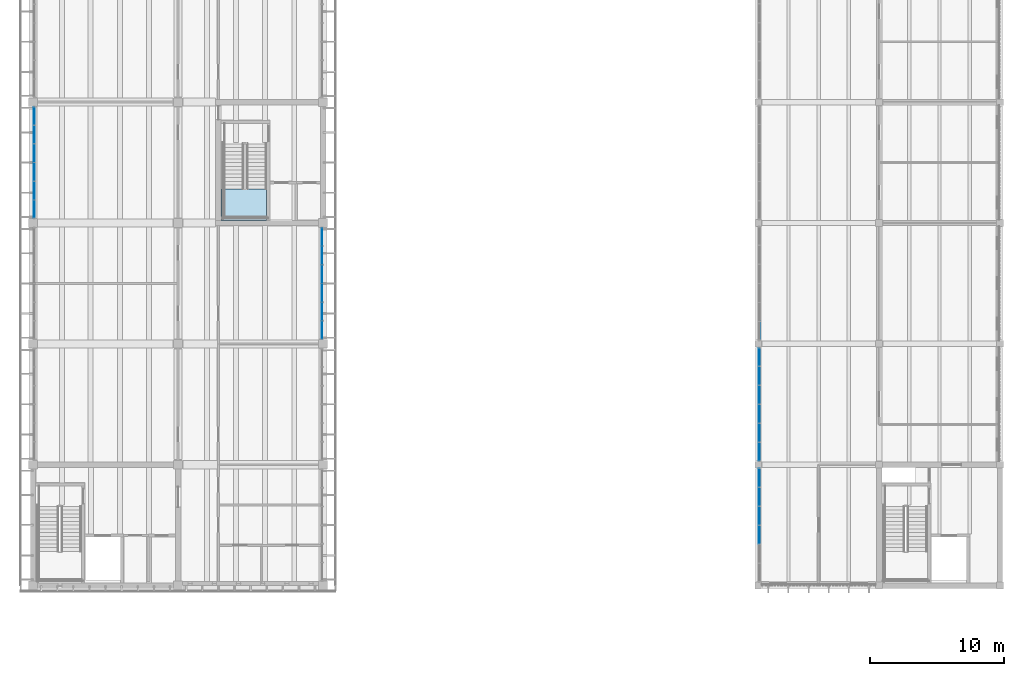
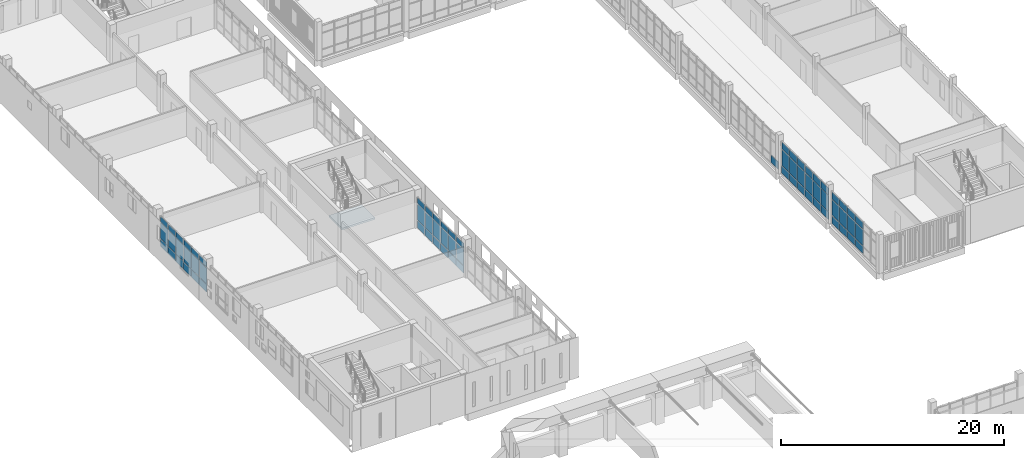
# One storey, part 39 of 92: 67 plates, 1 slab, 6 elements without a shape of their own.
"""IFC4 building model written with IfcOpenShell, lengths in metres."""

import ifcopenshell
import ifcopenshell.guid

model = None  # the IFC model being written
_history = None  # IfcOwnerHistory: only IFC2X3 demands one
_inside = {}  # id of a spatial element -> (the spatial element, [elements in it])
_under = {}  # id of a project, library or spatial element -> (it, [spatial elements below it])
_declared = {}  # id of a project -> (the project, [libraries it declares])
_typed = {}  # id of a type object -> (the type object, [elements of that type])
_made_of = {}  # id of a material, layer set ... -> (it, [elements and type objects made of it])


def new_model(schema):
    """Start an empty IFC model of exactly this schema.

    Asked for "IFC4X3", IfcOpenShell would pick the latest addendum, in which some entities
    have other attributes; the version numbers below select the first issue.
    IFC2X3 requires an IfcOwnerHistory on every rooted entity: one is made here for all.
    """
    global model, _history
    if schema == "IFC4X3":
        model = ifcopenshell.file(schema_version=(4, 3, 0, 0))
    else:
        model = ifcopenshell.file(schema=schema)
    _inside.clear()
    _under.clear()
    _declared.clear()
    _typed.clear()
    _made_of.clear()
    _history = None
    if model.schema == "IFC2X3":
        org = make("IfcOrganization", Name="unknown")
        user = make(
            "IfcPersonAndOrganization",
            ThePerson=make("IfcPerson", FamilyName="unknown"),
            TheOrganization=org,
        )
        app = make(
            "IfcApplication",
            ApplicationDeveloper=org,
            Version="unknown",
            ApplicationFullName="unknown",
            ApplicationIdentifier="unknown",
        )
        _history = make(
            "IfcOwnerHistory",
            OwningUser=user,
            OwningApplication=app,
            ChangeAction="ADDED",
            CreationDate=0,
        )
    return model


def make(cls, **values):
    """One entity of the class cls with the attributes given. An attribute that is None is left unset."""
    return model.create_entity(
        cls, **{name: value for name, value in values.items() if value is not None}
    )


def rooted(cls, **values):
    """An entity with a GlobalId (a new one), such as an element, a storey or a relation."""
    return make(cls, GlobalId=ifcopenshell.guid.new(), OwnerHistory=_history, **values)


def si_unit(unit_type, name, prefix=None):
    """IfcSIUnit, for example si_unit("LENGTHUNIT", "METRE", prefix="MILLI")."""
    return make("IfcSIUnit", UnitType=unit_type, Prefix=prefix, Name=name)


def assignment(units):
    """IfcUnitAssignment: the units of a project."""
    return None if units is None else make("IfcUnitAssignment", Units=units)


def point(xyz):
    """IfcCartesianPoint."""
    return None if xyz is None else make("IfcCartesianPoint", Coordinates=xyz)


def direction(xyz):
    """IfcDirection."""
    return None if xyz is None else make("IfcDirection", DirectionRatios=xyz)


def frame(location, z_axis=None, x_axis=None):
    """IfcAxis2Placement3D, a coordinate frame: its origin and axes. An axis left out is left unset."""
    return make(
        "IfcAxis2Placement3D",
        Location=point(location),
        Axis=direction(z_axis),
        RefDirection=direction(x_axis),
    )


def frame_2d(location, x_axis=None):
    """IfcAxis2Placement2D, a coordinate frame in the plane: its origin and x axis."""
    return make(
        "IfcAxis2Placement2D", Location=point(location), RefDirection=direction(x_axis)
    )


def origin():
    """The frame at (0, 0, 0) with its axes left unset."""
    return frame((0.0, 0.0, 0.0))


def origin_2d():
    """The frame at (0, 0) in the plane with its x axis left unset."""
    return frame_2d((0.0, 0.0))


def place(relative_to, where):
    """IfcLocalPlacement: puts the frame where relative to a parent placement (None: the world)."""
    return make(
        "IfcLocalPlacement", PlacementRelTo=relative_to, RelativePlacement=where
    )


def context(
    kind, dimensions, precision=None, world=None, true_north=None, identifier=None
):
    """IfcGeometricRepresentationContext, for example the 3D "Model" context."""
    return make(
        "IfcGeometricRepresentationContext",
        ContextIdentifier=identifier,
        ContextType=kind,
        CoordinateSpaceDimension=dimensions,
        Precision=precision,
        WorldCoordinateSystem=world,
        TrueNorth=true_north,
    )


def subcontext(parent, identifier, kind, view, scale=None):
    """IfcGeometricRepresentationSubContext, for example "Body" below "Model"."""
    return make(
        "IfcGeometricRepresentationSubContext",
        ContextIdentifier=identifier,
        ContextType=kind,
        ParentContext=parent,
        TargetScale=scale,
        TargetView=view,
    )


def project(units=None, contexts=None):
    """IfcProject with its units and contexts."""
    return rooted(
        "IfcProject",
        Name="project",
        RepresentationContexts=contexts,
        UnitsInContext=assignment(units),
    )


def spatial(cls, under=None, at=None, **own):
    """A site, building, storey or space (cls), placed at a placement, below another one or the project."""
    s = rooted(cls, ObjectPlacement=at, **own)
    if under is not None:
        _under.setdefault(under.id(), (under, []))[1].append(s)
    return s


def polyline(points):
    """IfcPolyline through the points."""
    return make("IfcPolyline", Points=[point(p) for p in points])


def profile(cls, at=None, kind="AREA", **sizes):
    """A parametric profile (cls). Its sizes go by their IFC names, for example OverallWidth=200.0."""
    return make(cls, ProfileType=kind, Position=at, **sizes)


def rectangle(**sizes):
    """IfcRectangleProfileDef."""
    return profile("IfcRectangleProfileDef", **sizes)


def outline(outer, holes=None, kind="AREA"):
    """IfcArbitraryClosedProfileDef: a profile drawn as a closed curve; with holes, ...WithVoids."""
    if holes is None:
        return make("IfcArbitraryClosedProfileDef", ProfileType=kind, OuterCurve=outer)
    return make(
        "IfcArbitraryProfileDefWithVoids",
        ProfileType=kind,
        OuterCurve=outer,
        InnerCurves=holes,
    )


def extrude(swept, where, along, depth):
    """IfcExtrudedAreaSolid: the profile swept, set in the frame where, extruded along a direction by depth."""
    return make(
        "IfcExtrudedAreaSolid",
        SweptArea=swept,
        Position=where,
        ExtrudedDirection=direction(along),
        Depth=depth,
    )


def shape(context_of_items, identifier, shape_type, items):
    """IfcShapeRepresentation: the items that make up one representation, for example the "Body"."""
    return make(
        "IfcShapeRepresentation",
        ContextOfItems=context_of_items,
        RepresentationIdentifier=identifier,
        RepresentationType=shape_type,
        Items=items,
    )


def material(Name=None, Category=None):
    """IfcMaterial."""
    return make("IfcMaterial", Name=Name, Category=Category)


def layer(
    of_material, thickness, ventilated=None, Name=None, Category=None, Priority=None
):
    """IfcMaterialLayer: one layer of a wall or slab, of a material (None: an air gap)."""
    return make(
        "IfcMaterialLayer",
        Material=of_material,
        LayerThickness=thickness,
        IsVentilated=ventilated,
        Name=Name,
        Category=Category,
        Priority=Priority,
    )


def layer_set(layers, Name=None):
    """IfcMaterialLayerSet."""
    return make("IfcMaterialLayerSet", MaterialLayers=layers, LayerSetName=Name)


def made_of(thing, what):
    """Note that an element or type object is made of a material, layer set ...; save() writes the relation."""
    if what is not None:
        _made_of.setdefault(what.id(), (what, []))[1].append(thing)
    return thing


def type_object(cls, material=None, **own):
    """A type object (cls), such as IfcWallType, which elements share."""
    return made_of(rooted(cls, **own), material)


def element(
    cls,
    number,
    at=None,
    inside=None,
    cuts=None,
    type_object=None,
    material=None,
    context=None,
    identifier="Body",
    shape_type=None,
    held_by="IfcProductDefinitionShape",
    body=None,
    shapes=None,
    **own,
):
    """One element of the class cls, such as IfcWall. Its Tag is "e" and its number.

    at: its placement. inside: the storey or other place that contains it. cuts: it is an
    opening in that element (IfcRelVoidsElement). A single representation is given by context,
    identifier, shape_type and body (its items); several are given by shapes. held_by: the class
    of the entity that holds the representations. save() writes the other relations.
    """
    e = rooted(cls, Tag="e%d" % number, ObjectPlacement=at, **own)
    if body is not None:
        shapes = [shape(context, identifier, shape_type, body)]
    if shapes is not None:
        e.Representation = make(held_by, Representations=shapes)
    if inside is not None:
        _inside.setdefault(inside.id(), (inside, []))[1].append(e)
    if cuts is not None:
        rooted(
            "IfcRelVoidsElement", RelatingBuildingElement=cuts, RelatedOpeningElement=e
        )
    if type_object is not None:
        _typed.setdefault(type_object.id(), (type_object, []))[1].append(e)
    return made_of(e, material)


def aggregate(whole, parts):
    """IfcRelAggregates: a whole, such as a stair, and the parts it consists of."""
    return rooted("IfcRelAggregates", RelatingObject=whole, RelatedObjects=parts)


def save(model, path):
    """Write the relations noted so far, then the file.

    IfcRelAggregates (storeys below a building ...), IfcRelContainedInSpatialStructure (elements
    in a storey), IfcRelDefinesByType, IfcRelAssociatesMaterial and IfcRelDeclares: one each for
    every whole, place, type object, material and project.
    """
    for whole, parts in _under.values():
        aggregate(whole, parts)
    for where, things in _inside.values():
        rooted(
            "IfcRelContainedInSpatialStructure",
            RelatedElements=things,
            RelatingStructure=where,
        )
    for kind, things in _typed.values():
        rooted("IfcRelDefinesByType", RelatedObjects=things, RelatingType=kind)
    for what, things in _made_of.values():
        rooted("IfcRelAssociatesMaterial", RelatedObjects=things, RelatingMaterial=what)
    for by, libraries in _declared.values():
        rooted("IfcRelDeclares", RelatingContext=by, RelatedDefinitions=libraries)
    model.write(path)


model = new_model("IFC4")

# Units and contexts
model_context = context("Model", 3, precision=1e-05, world=origin(), true_north=direction((0.0, 1.0)))
body_context = subcontext(model_context, "Body", "Model", "MODEL_VIEW")
ifc_project = project(units=[si_unit("LENGTHUNIT", "METRE"), si_unit("AREAUNIT", "SQUARE_METRE"), si_unit("VOLUMEUNIT", "CUBIC_METRE"), si_unit("PLANEANGLEUNIT", "RADIAN"), si_unit("MASSUNIT", "GRAM", prefix="KILO")], contexts=[model_context])

# Site, building, storey
site_placement = place(None, origin())
site = spatial("IfcSite", under=ifc_project, at=site_placement, CompositionType="ELEMENT")
building_placement = place(site_placement, origin())
building = spatial("IfcBuilding", under=site, at=building_placement, Name="Merrow Basin Faculty of Sciences", CompositionType="ELEMENT")
storey_placement = place(building_placement, frame((0.0, 0.0, 4.5)))
storey = spatial("IfcBuildingStorey", under=building, at=storey_placement, Name="L01", CompositionType="ELEMENT", Elevation=4.5)

# Curtain wall, plates
ifc_material_1 = material(Name="Aluminium alloy 6063", Category="aluminium")
curtain_wall_type_1 = type_object("IfcCurtainWallType", Name="Bar unitised curtain wall 180", PredefinedType="NOTDEFINED", material=ifc_material_1)
curtain_wall_1_placement = place(storey_placement, origin())
curtain_wall_1 = element("IfcCurtainWall", 1, at=curtain_wall_1_placement, inside=storey, type_object=curtain_wall_type_1, Name="West curtain wall L01 3", PredefinedType="NOTDEFINED")
ifc_material_2 = material(Name="Insulated aluminium spandrel panel", Category="aluminium")
ifc_layer_1 = layer(ifc_material_2, 0.052001953125)
ifc_layer_set_1 = layer_set([ifc_layer_1], Name="Insulated spandrel panel 52")
plate_type_1 = type_object("IfcPlateType", Name="Insulated spandrel panel 52", PredefinedType="CURTAIN_PANEL", material=ifc_layer_set_1)
plate_1_placement = place(storey_placement, frame((0.090087890625, 89.035888671875, 0.06005859375), z_axis=(0.0, 0.0, 1.0), x_axis=(0.0, 1.0, 0.0)))
plate_1 = element("IfcPlate", 2, at=plate_1_placement, type_object=plate_type_1, Name="CW1 panel 1.1", PredefinedType="CURTAIN_PANEL", context=body_context, shape_type="SweptSolid", body=[
    extrude(rectangle(XDim=1.3017578125, YDim=0.052001953125, at=origin_2d()), origin(), (0.0, 0.0, 1.0), 0.81005859375),
])
plate_2_placement = place(storey_placement, frame((0.090087890625, 90.41259765625, 0.06005859375), z_axis=(0.0, 0.0, 1.0), x_axis=(0.0, 1.0, 0.0)))
plate_2 = element("IfcPlate", 3, at=plate_2_placement, type_object=plate_type_1, Name="CW1 panel 2.1", PredefinedType="CURTAIN_PANEL", context=body_context, shape_type="SweptSolid", body=[
    extrude(rectangle(XDim=1.331787109375, YDim=0.052001953125, at=origin_2d()), origin(), (0.0, 0.0, 1.0), 0.81005859375),
])
plate_3_placement = place(storey_placement, frame((0.090087890625, 91.80419921875, 0.06005859375), z_axis=(0.0, 0.0, 1.0), x_axis=(0.0, 1.0, 0.0)))
plate_3 = element("IfcPlate", 4, at=plate_3_placement, type_object=plate_type_1, Name="CW1 panel 3.1", PredefinedType="CURTAIN_PANEL", context=body_context, shape_type="SweptSolid", body=[
    extrude(rectangle(XDim=1.331787109375, YDim=0.052001953125, at=origin_2d()), origin(), (0.0, 0.0, 1.0), 0.81005859375),
])
plate_4_placement = place(storey_placement, frame((0.090087890625, 93.19580078125, 0.06005859375), z_axis=(0.0, 0.0, 1.0), x_axis=(0.0, 1.0, 0.0)))
plate_4 = element("IfcPlate", 5, at=plate_4_placement, type_object=plate_type_1, Name="CW1 panel 4.1", PredefinedType="CURTAIN_PANEL", context=body_context, shape_type="SweptSolid", body=[
    extrude(rectangle(XDim=1.331787109375, YDim=0.052001953125, at=origin_2d()), origin(), (0.0, 0.0, 1.0), 0.81005859375),
])
plate_5_placement = place(storey_placement, frame((0.090087890625, 94.58740234375, 0.06005859375), z_axis=(0.0, 0.0, 1.0), x_axis=(0.0, 1.0, 0.0)))
plate_5 = element("IfcPlate", 6, at=plate_5_placement, type_object=plate_type_1, Name="CW1 panel 5.1", PredefinedType="CURTAIN_PANEL", context=body_context, shape_type="SweptSolid", body=[
    extrude(rectangle(XDim=1.331787109375, YDim=0.052001953125, at=origin_2d()), origin(), (0.0, 0.0, 1.0), 0.81005859375),
])
plate_6_placement = place(storey_placement, frame((0.090087890625, 95.964111328125, 0.06005859375), z_axis=(0.0, 0.0, 1.0), x_axis=(0.0, 1.0, 0.0)))
plate_6 = element("IfcPlate", 7, at=plate_6_placement, type_object=plate_type_1, Name="CW1 panel 6.1", PredefinedType="CURTAIN_PANEL", context=body_context, shape_type="SweptSolid", body=[
    extrude(rectangle(XDim=1.3017578125, YDim=0.052001953125, at=origin_2d()), origin(), (0.0, 0.0, 1.0), 0.81005859375),
])

curtain_wall_2_placement = place(storey_placement, origin())
curtain_wall_2 = element("IfcCurtainWall", 8, at=curtain_wall_2_placement, inside=storey, type_object=curtain_wall_type_1, Name="East curtain wall L01 3", PredefinedType="NOTDEFINED")
plate_7_placement = place(storey_placement, frame((21.510009765625, 80.035888671875, 0.06005859375), z_axis=(0.0, 0.0, 1.0), x_axis=(0.0, 1.0, 0.0)))
plate_7 = element("IfcPlate", 9, at=plate_7_placement, type_object=plate_type_1, Name="CW1 panel 1.1", PredefinedType="CURTAIN_PANEL", context=body_context, shape_type="SweptSolid", body=[
    extrude(rectangle(XDim=1.3017578125, YDim=0.052001953125, at=origin_2d()), origin(), (0.0, 0.0, 1.0), 0.81005859375),
])
plate_8_placement = place(storey_placement, frame((21.510009765625, 81.41259765625, 0.06005859375), z_axis=(0.0, 0.0, 1.0), x_axis=(0.0, 1.0, 0.0)))
plate_8 = element("IfcPlate", 10, at=plate_8_placement, type_object=plate_type_1, Name="CW1 panel 2.1", PredefinedType="CURTAIN_PANEL", context=body_context, shape_type="SweptSolid", body=[
    extrude(rectangle(XDim=1.331787109375, YDim=0.052001953125, at=origin_2d()), origin(), (0.0, 0.0, 1.0), 0.81005859375),
])
plate_9_placement = place(storey_placement, frame((21.510009765625, 82.80419921875, 0.06005859375), z_axis=(0.0, 0.0, 1.0), x_axis=(0.0, 1.0, 0.0)))
plate_9 = element("IfcPlate", 11, at=plate_9_placement, type_object=plate_type_1, Name="CW1 panel 3.1", PredefinedType="CURTAIN_PANEL", context=body_context, shape_type="SweptSolid", body=[
    extrude(rectangle(XDim=1.331787109375, YDim=0.052001953125, at=origin_2d()), origin(), (0.0, 0.0, 1.0), 0.81005859375),
])
plate_10_placement = place(storey_placement, frame((21.510009765625, 84.19580078125, 0.06005859375), z_axis=(0.0, 0.0, 1.0), x_axis=(0.0, 1.0, 0.0)))
plate_10 = element("IfcPlate", 12, at=plate_10_placement, type_object=plate_type_1, Name="CW1 panel 4.1", PredefinedType="CURTAIN_PANEL", context=body_context, shape_type="SweptSolid", body=[
    extrude(rectangle(XDim=1.331787109375, YDim=0.052001953125, at=origin_2d()), origin(), (0.0, 0.0, 1.0), 0.81005859375),
])
plate_11_placement = place(storey_placement, frame((21.510009765625, 85.58740234375, 0.06005859375), z_axis=(0.0, 0.0, 1.0), x_axis=(0.0, 1.0, 0.0)))
plate_11 = element("IfcPlate", 13, at=plate_11_placement, type_object=plate_type_1, Name="CW1 panel 5.1", PredefinedType="CURTAIN_PANEL", context=body_context, shape_type="SweptSolid", body=[
    extrude(rectangle(XDim=1.331787109375, YDim=0.052001953125, at=origin_2d()), origin(), (0.0, 0.0, 1.0), 0.81005859375),
])
plate_12_placement = place(storey_placement, frame((21.510009765625, 86.964111328125, 0.06005859375), z_axis=(0.0, 0.0, 1.0), x_axis=(0.0, 1.0, 0.0)))
plate_12 = element("IfcPlate", 14, at=plate_12_placement, type_object=plate_type_1, Name="CW1 panel 6.1", PredefinedType="CURTAIN_PANEL", context=body_context, shape_type="SweptSolid", body=[
    extrude(rectangle(XDim=1.3017578125, YDim=0.052001953125, at=origin_2d()), origin(), (0.0, 0.0, 1.0), 0.81005859375),
])

ifc_material_3 = material(Name="Aluminium alloy 6063", Category="aluminium")
curtain_wall_type_2 = type_object("IfcCurtainWallType", Name="Court curtain wall 140", PredefinedType="NOTDEFINED", material=ifc_material_3)
curtain_wall_3_placement = place(storey_placement, origin())
curtain_wall_3 = element("IfcCurtainWall", 15, at=curtain_wall_3_placement, inside=storey, type_object=curtain_wall_type_2, Name="Court curtain wall L01 1", PredefinedType="NOTDEFINED")
plate_13_placement = place(storey_placement, frame((54.070068359375, 64.791748046875, 0.06005859375), z_axis=(0.0, 0.0, 1.0), x_axis=(0.0, 1.0, 0.0)))
plate_13 = element("IfcPlate", 16, at=plate_13_placement, type_object=plate_type_1, Name="CW8 panel 3.1", PredefinedType="CURTAIN_PANEL", context=body_context, shape_type="SweptSolid", body=[
    extrude(rectangle(XDim=1.356689453125, YDim=0.052001953125, at=origin_2d()), origin(), (0.0, 0.0, 1.0), 0.81005859375),
])
plate_14_placement = place(storey_placement, frame((54.070068359375, 66.208251953125, 0.06005859375), z_axis=(0.0, 0.0, 1.0), x_axis=(0.0, 1.0, 0.0)))
plate_14 = element("IfcPlate", 17, at=plate_14_placement, type_object=plate_type_1, Name="CW8 panel 4.1", PredefinedType="CURTAIN_PANEL", context=body_context, shape_type="SweptSolid", body=[
    extrude(rectangle(XDim=1.356689453125, YDim=0.052001953125, at=origin_2d()), origin(), (0.0, 0.0, 1.0), 0.81005859375),
])
plate_15_placement = place(storey_placement, frame((54.070068359375, 67.625, 0.06005859375), z_axis=(0.0, 0.0, 1.0), x_axis=(0.0, 1.0, 0.0)))
plate_15 = element("IfcPlate", 18, at=plate_15_placement, type_object=plate_type_1, Name="CW8 panel 5.1", PredefinedType="CURTAIN_PANEL", context=body_context, shape_type="SweptSolid", body=[
    extrude(rectangle(XDim=1.356689453125, YDim=0.052001953125, at=origin_2d()), origin(), (0.0, 0.0, 1.0), 0.81005859375),
])
plate_16_placement = place(storey_placement, frame((54.070068359375, 69.026611328125, 0.06005859375), z_axis=(0.0, 0.0, 1.0), x_axis=(0.0, 1.0, 0.0)))
plate_16 = element("IfcPlate", 19, at=plate_16_placement, type_object=plate_type_1, Name="CW8 panel 6.1", PredefinedType="CURTAIN_PANEL", context=body_context, shape_type="SweptSolid", body=[
    extrude(rectangle(XDim=1.32666015625, YDim=0.052001953125, at=origin_2d()), origin(), (0.0, 0.0, 1.0), 0.81005859375),
])

curtain_wall_4_placement = place(storey_placement, origin())
curtain_wall_4 = element("IfcCurtainWall", 20, at=curtain_wall_4_placement, inside=storey, type_object=curtain_wall_type_2, Name="Court curtain wall L01 2", PredefinedType="NOTDEFINED")
plate_17_placement = place(storey_placement, frame((54.070068359375, 70.973388671875, 0.06005859375), z_axis=(0.0, 0.0, 1.0), x_axis=(0.0, 1.0, 0.0)))
plate_17 = element("IfcPlate", 21, at=plate_17_placement, type_object=plate_type_1, Name="CW8 panel 1.1", PredefinedType="CURTAIN_PANEL", context=body_context, shape_type="SweptSolid", body=[
    extrude(rectangle(XDim=1.32666015625, YDim=0.052001953125, at=origin_2d()), origin(), (0.0, 0.0, 1.0), 0.81005859375),
])
plate_18_placement = place(storey_placement, frame((54.070068359375, 72.375, 0.06005859375), z_axis=(0.0, 0.0, 1.0), x_axis=(0.0, 1.0, 0.0)))
plate_18 = element("IfcPlate", 22, at=plate_18_placement, type_object=plate_type_1, Name="CW8 panel 2.1", PredefinedType="CURTAIN_PANEL", context=body_context, shape_type="SweptSolid", body=[
    extrude(rectangle(XDim=1.356689453125, YDim=0.052001953125, at=origin_2d()), origin(), (0.0, 0.0, 1.0), 0.81005859375),
])
plate_19_placement = place(storey_placement, frame((54.070068359375, 73.791748046875, 0.06005859375), z_axis=(0.0, 0.0, 1.0), x_axis=(0.0, 1.0, 0.0)))
plate_19 = element("IfcPlate", 23, at=plate_19_placement, type_object=plate_type_1, Name="CW8 panel 3.1", PredefinedType="CURTAIN_PANEL", context=body_context, shape_type="SweptSolid", body=[
    extrude(rectangle(XDim=1.356689453125, YDim=0.052001953125, at=origin_2d()), origin(), (0.0, 0.0, 1.0), 0.81005859375),
])
plate_20_placement = place(storey_placement, frame((54.070068359375, 75.208251953125, 0.06005859375), z_axis=(0.0, 0.0, 1.0), x_axis=(0.0, 1.0, 0.0)))
plate_20 = element("IfcPlate", 24, at=plate_20_placement, type_object=plate_type_1, Name="CW8 panel 4.1", PredefinedType="CURTAIN_PANEL", context=body_context, shape_type="SweptSolid", body=[
    extrude(rectangle(XDim=1.356689453125, YDim=0.052001953125, at=origin_2d()), origin(), (0.0, 0.0, 1.0), 0.81005859375),
])
plate_21_placement = place(storey_placement, frame((54.070068359375, 76.625, 0.06005859375), z_axis=(0.0, 0.0, 1.0), x_axis=(0.0, 1.0, 0.0)))
plate_21 = element("IfcPlate", 25, at=plate_21_placement, type_object=plate_type_1, Name="CW8 panel 5.1", PredefinedType="CURTAIN_PANEL", context=body_context, shape_type="SweptSolid", body=[
    extrude(rectangle(XDim=1.356689453125, YDim=0.052001953125, at=origin_2d()), origin(), (0.0, 0.0, 1.0), 0.81005859375),
])
plate_22_placement = place(storey_placement, frame((54.070068359375, 78.026611328125, 0.06005859375), z_axis=(0.0, 0.0, 1.0), x_axis=(0.0, 1.0, 0.0)))
plate_22 = element("IfcPlate", 26, at=plate_22_placement, type_object=plate_type_1, Name="CW8 panel 6.1", PredefinedType="CURTAIN_PANEL", context=body_context, shape_type="SweptSolid", body=[
    extrude(rectangle(XDim=1.32666015625, YDim=0.052001953125, at=origin_2d()), origin(), (0.0, 0.0, 1.0), 0.81005859375),
])

# Curtain wall, plate
curtain_wall_5_placement = place(storey_placement, origin())
curtain_wall_5 = element("IfcCurtainWall", 27, at=curtain_wall_5_placement, inside=storey, type_object=curtain_wall_type_2, Name="Court curtain wall L01 3", PredefinedType="NOTDEFINED")
plate_23_placement = place(storey_placement, frame((54.070068359375, 79.973388671875, 0.06005859375), z_axis=(0.0, 0.0, 1.0), x_axis=(0.0, 1.0, 0.0)))
plate_23 = element("IfcPlate", 28, at=plate_23_placement, type_object=plate_type_1, Name="CW8 panel 1.1", PredefinedType="CURTAIN_PANEL", context=body_context, shape_type="SweptSolid", body=[
    extrude(rectangle(XDim=1.32666015625, YDim=0.052001953125, at=origin_2d()), origin(), (0.0, 0.0, 1.0), 0.81005859375),
])
aggregate(curtain_wall_5, [plate_23])

# Plate
ifc_material_4 = material(Name="Low-E double glazing", Category="glass")
ifc_layer_2 = layer(ifc_material_4, 0.028076171875)
ifc_layer_set_2 = layer_set([ifc_layer_2], Name="Low-E double glazed panel 28")
plate_type_2 = type_object("IfcPlateType", Name="Low-E double glazed panel 28", PredefinedType="CURTAIN_PANEL", material=ifc_layer_set_2)
plate_24_placement = place(storey_placement, frame((0.090087890625, 89.035888671875, 0.93017578125), z_axis=(0.0, 0.0, 1.0), x_axis=(0.0, 1.0, 0.0)))
plate_24 = element("IfcPlate", 29, at=plate_24_placement, type_object=plate_type_2, Name="CW1 panel 1.2", PredefinedType="CURTAIN_PANEL", context=body_context, shape_type="SweptSolid", body=[
    extrude(rectangle(XDim=1.3017578125, YDim=0.028076171875, at=origin_2d()), origin(), (0.0, 0.0, 1.0), 1.739990234375),
])

plate_25_placement = place(storey_placement, frame((0.090087890625, 89.035888671875, 2.72998046875), z_axis=(0.0, 0.0, 1.0), x_axis=(0.0, 1.0, 0.0)))
plate_25 = element("IfcPlate", 30, at=plate_25_placement, type_object=plate_type_2, Name="CW1 panel 1.3", PredefinedType="CURTAIN_PANEL", context=body_context, shape_type="SweptSolid", body=[
    extrude(rectangle(XDim=1.3017578125, YDim=0.028076171875, at=origin_2d()), origin(), (0.0, 0.0, 1.0), 0.610107421875),
])

plate_26_placement = place(storey_placement, frame((0.090087890625, 90.41259765625, 0.93017578125), z_axis=(0.0, 0.0, 1.0), x_axis=(0.0, 1.0, 0.0)))
plate_26 = element("IfcPlate", 31, at=plate_26_placement, type_object=plate_type_2, Name="CW1 panel 2.2", PredefinedType="CURTAIN_PANEL", context=body_context, shape_type="SweptSolid", body=[
    extrude(rectangle(XDim=1.331787109375, YDim=0.028076171875, at=origin_2d()), origin(), (0.0, 0.0, 1.0), 1.739990234375),
])

plate_27_placement = place(storey_placement, frame((0.090087890625, 90.41259765625, 2.72998046875), z_axis=(0.0, 0.0, 1.0), x_axis=(0.0, 1.0, 0.0)))
plate_27 = element("IfcPlate", 32, at=plate_27_placement, type_object=plate_type_2, Name="CW1 panel 2.3", PredefinedType="CURTAIN_PANEL", context=body_context, shape_type="SweptSolid", body=[
    extrude(rectangle(XDim=1.331787109375, YDim=0.028076171875, at=origin_2d()), origin(), (0.0, 0.0, 1.0), 0.610107421875),
])

plate_28_placement = place(storey_placement, frame((0.090087890625, 91.80419921875, 0.93017578125), z_axis=(0.0, 0.0, 1.0), x_axis=(0.0, 1.0, 0.0)))
plate_28 = element("IfcPlate", 33, at=plate_28_placement, type_object=plate_type_2, Name="CW1 panel 3.2", PredefinedType="CURTAIN_PANEL", context=body_context, shape_type="SweptSolid", body=[
    extrude(rectangle(XDim=1.331787109375, YDim=0.028076171875, at=origin_2d()), origin(), (0.0, 0.0, 1.0), 1.739990234375),
])

plate_29_placement = place(storey_placement, frame((0.090087890625, 91.80419921875, 2.72998046875), z_axis=(0.0, 0.0, 1.0), x_axis=(0.0, 1.0, 0.0)))
plate_29 = element("IfcPlate", 34, at=plate_29_placement, type_object=plate_type_2, Name="CW1 panel 3.3", PredefinedType="CURTAIN_PANEL", context=body_context, shape_type="SweptSolid", body=[
    extrude(rectangle(XDim=1.331787109375, YDim=0.028076171875, at=origin_2d()), origin(), (0.0, 0.0, 1.0), 0.610107421875),
])

plate_30_placement = place(storey_placement, frame((0.090087890625, 93.19580078125, 0.93017578125), z_axis=(0.0, 0.0, 1.0), x_axis=(0.0, 1.0, 0.0)))
plate_30 = element("IfcPlate", 35, at=plate_30_placement, type_object=plate_type_2, Name="CW1 panel 4.2", PredefinedType="CURTAIN_PANEL", context=body_context, shape_type="SweptSolid", body=[
    extrude(rectangle(XDim=1.331787109375, YDim=0.028076171875, at=origin_2d()), origin(), (0.0, 0.0, 1.0), 1.739990234375),
])

plate_31_placement = place(storey_placement, frame((0.090087890625, 93.19580078125, 2.72998046875), z_axis=(0.0, 0.0, 1.0), x_axis=(0.0, 1.0, 0.0)))
plate_31 = element("IfcPlate", 36, at=plate_31_placement, type_object=plate_type_2, Name="CW1 panel 4.3", PredefinedType="CURTAIN_PANEL", context=body_context, shape_type="SweptSolid", body=[
    extrude(rectangle(XDim=1.331787109375, YDim=0.028076171875, at=origin_2d()), origin(), (0.0, 0.0, 1.0), 0.610107421875),
])

plate_32_placement = place(storey_placement, frame((0.090087890625, 94.58740234375, 0.93017578125), z_axis=(0.0, 0.0, 1.0), x_axis=(0.0, 1.0, 0.0)))
plate_32 = element("IfcPlate", 37, at=plate_32_placement, type_object=plate_type_2, Name="CW1 panel 5.2", PredefinedType="CURTAIN_PANEL", context=body_context, shape_type="SweptSolid", body=[
    extrude(rectangle(XDim=1.331787109375, YDim=0.028076171875, at=origin_2d()), origin(), (0.0, 0.0, 1.0), 1.739990234375),
])

plate_33_placement = place(storey_placement, frame((0.090087890625, 94.58740234375, 2.72998046875), z_axis=(0.0, 0.0, 1.0), x_axis=(0.0, 1.0, 0.0)))
plate_33 = element("IfcPlate", 38, at=plate_33_placement, type_object=plate_type_2, Name="CW1 panel 5.3", PredefinedType="CURTAIN_PANEL", context=body_context, shape_type="SweptSolid", body=[
    extrude(rectangle(XDim=1.331787109375, YDim=0.028076171875, at=origin_2d()), origin(), (0.0, 0.0, 1.0), 0.610107421875),
])

plate_34_placement = place(storey_placement, frame((0.090087890625, 95.964111328125, 0.93017578125), z_axis=(0.0, 0.0, 1.0), x_axis=(0.0, 1.0, 0.0)))
plate_34 = element("IfcPlate", 39, at=plate_34_placement, type_object=plate_type_2, Name="CW1 panel 6.2", PredefinedType="CURTAIN_PANEL", context=body_context, shape_type="SweptSolid", body=[
    extrude(rectangle(XDim=1.3017578125, YDim=0.028076171875, at=origin_2d()), origin(), (0.0, 0.0, 1.0), 1.739990234375),
])

plate_35_placement = place(storey_placement, frame((0.090087890625, 95.964111328125, 2.72998046875), z_axis=(0.0, 0.0, 1.0), x_axis=(0.0, 1.0, 0.0)))
plate_35 = element("IfcPlate", 40, at=plate_35_placement, type_object=plate_type_2, Name="CW1 panel 6.3", PredefinedType="CURTAIN_PANEL", context=body_context, shape_type="SweptSolid", body=[
    extrude(rectangle(XDim=1.3017578125, YDim=0.028076171875, at=origin_2d()), origin(), (0.0, 0.0, 1.0), 0.610107421875),
])

aggregate(curtain_wall_1, [plate_1, plate_24, plate_25, plate_2, plate_26, plate_27, plate_3, plate_28, plate_29, plate_4, plate_30, plate_31, plate_5, plate_32, plate_33, plate_6, plate_34, plate_35])

plate_36_placement = place(storey_placement, frame((21.510009765625, 80.035888671875, 0.93017578125), z_axis=(0.0, 0.0, 1.0), x_axis=(0.0, 1.0, 0.0)))
plate_36 = element("IfcPlate", 41, at=plate_36_placement, type_object=plate_type_2, Name="CW1 panel 1.2", PredefinedType="CURTAIN_PANEL", context=body_context, shape_type="SweptSolid", body=[
    extrude(rectangle(XDim=1.3017578125, YDim=0.028076171875, at=origin_2d()), origin(), (0.0, 0.0, 1.0), 1.739990234375),
])

plate_37_placement = place(storey_placement, frame((21.510009765625, 80.035888671875, 2.72998046875), z_axis=(0.0, 0.0, 1.0), x_axis=(0.0, 1.0, 0.0)))
plate_37 = element("IfcPlate", 42, at=plate_37_placement, type_object=plate_type_2, Name="CW1 panel 1.3", PredefinedType="CURTAIN_PANEL", context=body_context, shape_type="SweptSolid", body=[
    extrude(rectangle(XDim=1.3017578125, YDim=0.028076171875, at=origin_2d()), origin(), (0.0, 0.0, 1.0), 0.610107421875),
])

plate_38_placement = place(storey_placement, frame((21.510009765625, 81.41259765625, 0.93017578125), z_axis=(0.0, 0.0, 1.0), x_axis=(0.0, 1.0, 0.0)))
plate_38 = element("IfcPlate", 43, at=plate_38_placement, type_object=plate_type_2, Name="CW1 panel 2.2", PredefinedType="CURTAIN_PANEL", context=body_context, shape_type="SweptSolid", body=[
    extrude(rectangle(XDim=1.331787109375, YDim=0.028076171875, at=origin_2d()), origin(), (0.0, 0.0, 1.0), 1.739990234375),
])

plate_39_placement = place(storey_placement, frame((21.510009765625, 81.41259765625, 2.72998046875), z_axis=(0.0, 0.0, 1.0), x_axis=(0.0, 1.0, 0.0)))
plate_39 = element("IfcPlate", 44, at=plate_39_placement, type_object=plate_type_2, Name="CW1 panel 2.3", PredefinedType="CURTAIN_PANEL", context=body_context, shape_type="SweptSolid", body=[
    extrude(rectangle(XDim=1.331787109375, YDim=0.028076171875, at=origin_2d()), origin(), (0.0, 0.0, 1.0), 0.610107421875),
])

plate_40_placement = place(storey_placement, frame((21.510009765625, 82.80419921875, 0.93017578125), z_axis=(0.0, 0.0, 1.0), x_axis=(0.0, 1.0, 0.0)))
plate_40 = element("IfcPlate", 45, at=plate_40_placement, type_object=plate_type_2, Name="CW1 panel 3.2", PredefinedType="CURTAIN_PANEL", context=body_context, shape_type="SweptSolid", body=[
    extrude(rectangle(XDim=1.331787109375, YDim=0.028076171875, at=origin_2d()), origin(), (0.0, 0.0, 1.0), 1.739990234375),
])

plate_41_placement = place(storey_placement, frame((21.510009765625, 82.80419921875, 2.72998046875), z_axis=(0.0, 0.0, 1.0), x_axis=(0.0, 1.0, 0.0)))
plate_41 = element("IfcPlate", 46, at=plate_41_placement, type_object=plate_type_2, Name="CW1 panel 3.3", PredefinedType="CURTAIN_PANEL", context=body_context, shape_type="SweptSolid", body=[
    extrude(rectangle(XDim=1.331787109375, YDim=0.028076171875, at=origin_2d()), origin(), (0.0, 0.0, 1.0), 0.610107421875),
])

plate_42_placement = place(storey_placement, frame((21.510009765625, 84.19580078125, 0.93017578125), z_axis=(0.0, 0.0, 1.0), x_axis=(0.0, 1.0, 0.0)))
plate_42 = element("IfcPlate", 47, at=plate_42_placement, type_object=plate_type_2, Name="CW1 panel 4.2", PredefinedType="CURTAIN_PANEL", context=body_context, shape_type="SweptSolid", body=[
    extrude(rectangle(XDim=1.331787109375, YDim=0.028076171875, at=origin_2d()), origin(), (0.0, 0.0, 1.0), 1.739990234375),
])

plate_43_placement = place(storey_placement, frame((21.510009765625, 84.19580078125, 2.72998046875), z_axis=(0.0, 0.0, 1.0), x_axis=(0.0, 1.0, 0.0)))
plate_43 = element("IfcPlate", 48, at=plate_43_placement, type_object=plate_type_2, Name="CW1 panel 4.3", PredefinedType="CURTAIN_PANEL", context=body_context, shape_type="SweptSolid", body=[
    extrude(rectangle(XDim=1.331787109375, YDim=0.028076171875, at=origin_2d()), origin(), (0.0, 0.0, 1.0), 0.610107421875),
])

plate_44_placement = place(storey_placement, frame((21.510009765625, 85.58740234375, 0.93017578125), z_axis=(0.0, 0.0, 1.0), x_axis=(0.0, 1.0, 0.0)))
plate_44 = element("IfcPlate", 49, at=plate_44_placement, type_object=plate_type_2, Name="CW1 panel 5.2", PredefinedType="CURTAIN_PANEL", context=body_context, shape_type="SweptSolid", body=[
    extrude(rectangle(XDim=1.331787109375, YDim=0.028076171875, at=origin_2d()), origin(), (0.0, 0.0, 1.0), 1.739990234375),
])

plate_45_placement = place(storey_placement, frame((21.510009765625, 85.58740234375, 2.72998046875), z_axis=(0.0, 0.0, 1.0), x_axis=(0.0, 1.0, 0.0)))
plate_45 = element("IfcPlate", 50, at=plate_45_placement, type_object=plate_type_2, Name="CW1 panel 5.3", PredefinedType="CURTAIN_PANEL", context=body_context, shape_type="SweptSolid", body=[
    extrude(rectangle(XDim=1.331787109375, YDim=0.028076171875, at=origin_2d()), origin(), (0.0, 0.0, 1.0), 0.610107421875),
])

plate_46_placement = place(storey_placement, frame((21.510009765625, 86.964111328125, 0.93017578125), z_axis=(0.0, 0.0, 1.0), x_axis=(0.0, 1.0, 0.0)))
plate_46 = element("IfcPlate", 51, at=plate_46_placement, type_object=plate_type_2, Name="CW1 panel 6.2", PredefinedType="CURTAIN_PANEL", context=body_context, shape_type="SweptSolid", body=[
    extrude(rectangle(XDim=1.3017578125, YDim=0.028076171875, at=origin_2d()), origin(), (0.0, 0.0, 1.0), 1.739990234375),
])

plate_47_placement = place(storey_placement, frame((21.510009765625, 86.964111328125, 2.72998046875), z_axis=(0.0, 0.0, 1.0), x_axis=(0.0, 1.0, 0.0)))
plate_47 = element("IfcPlate", 52, at=plate_47_placement, type_object=plate_type_2, Name="CW1 panel 6.3", PredefinedType="CURTAIN_PANEL", context=body_context, shape_type="SweptSolid", body=[
    extrude(rectangle(XDim=1.3017578125, YDim=0.028076171875, at=origin_2d()), origin(), (0.0, 0.0, 1.0), 0.610107421875),
])

aggregate(curtain_wall_2, [plate_7, plate_36, plate_37, plate_8, plate_38, plate_39, plate_9, plate_40, plate_41, plate_10, plate_42, plate_43, plate_11, plate_44, plate_45, plate_12, plate_46, plate_47])

plate_48_placement = place(storey_placement, frame((54.070068359375, 64.791748046875, 0.93017578125), z_axis=(0.0, 0.0, 1.0), x_axis=(0.0, 1.0, 0.0)))
plate_48 = element("IfcPlate", 53, at=plate_48_placement, type_object=plate_type_2, Name="CW8 panel 3.2", PredefinedType="CURTAIN_PANEL", context=body_context, shape_type="SweptSolid", body=[
    extrude(rectangle(XDim=1.356689453125, YDim=0.028076171875, at=origin_2d()), origin(), (0.0, 0.0, 1.0), 1.739990234375),
])

plate_49_placement = place(storey_placement, frame((54.070068359375, 64.791748046875, 2.72998046875), z_axis=(0.0, 0.0, 1.0), x_axis=(0.0, 1.0, 0.0)))
plate_49 = element("IfcPlate", 54, at=plate_49_placement, type_object=plate_type_2, Name="CW8 panel 3.3", PredefinedType="CURTAIN_PANEL", context=body_context, shape_type="SweptSolid", body=[
    extrude(rectangle(XDim=1.356689453125, YDim=0.028076171875, at=origin_2d()), origin(), (0.0, 0.0, 1.0), 0.760009765625),
])

plate_50_placement = place(storey_placement, frame((54.070068359375, 66.208251953125, 0.93017578125), z_axis=(0.0, 0.0, 1.0), x_axis=(0.0, 1.0, 0.0)))
plate_50 = element("IfcPlate", 55, at=plate_50_placement, type_object=plate_type_2, Name="CW8 panel 4.2", PredefinedType="CURTAIN_PANEL", context=body_context, shape_type="SweptSolid", body=[
    extrude(rectangle(XDim=1.356689453125, YDim=0.028076171875, at=origin_2d()), origin(), (0.0, 0.0, 1.0), 1.739990234375),
])

plate_51_placement = place(storey_placement, frame((54.070068359375, 66.208251953125, 2.72998046875), z_axis=(0.0, 0.0, 1.0), x_axis=(0.0, 1.0, 0.0)))
plate_51 = element("IfcPlate", 56, at=plate_51_placement, type_object=plate_type_2, Name="CW8 panel 4.3", PredefinedType="CURTAIN_PANEL", context=body_context, shape_type="SweptSolid", body=[
    extrude(rectangle(XDim=1.356689453125, YDim=0.028076171875, at=origin_2d()), origin(), (0.0, 0.0, 1.0), 0.760009765625),
])

plate_52_placement = place(storey_placement, frame((54.070068359375, 67.625, 0.93017578125), z_axis=(0.0, 0.0, 1.0), x_axis=(0.0, 1.0, 0.0)))
plate_52 = element("IfcPlate", 57, at=plate_52_placement, type_object=plate_type_2, Name="CW8 panel 5.2", PredefinedType="CURTAIN_PANEL", context=body_context, shape_type="SweptSolid", body=[
    extrude(rectangle(XDim=1.356689453125, YDim=0.028076171875, at=origin_2d()), origin(), (0.0, 0.0, 1.0), 1.739990234375),
])

plate_53_placement = place(storey_placement, frame((54.070068359375, 67.625, 2.72998046875), z_axis=(0.0, 0.0, 1.0), x_axis=(0.0, 1.0, 0.0)))
plate_53 = element("IfcPlate", 58, at=plate_53_placement, type_object=plate_type_2, Name="CW8 panel 5.3", PredefinedType="CURTAIN_PANEL", context=body_context, shape_type="SweptSolid", body=[
    extrude(rectangle(XDim=1.356689453125, YDim=0.028076171875, at=origin_2d()), origin(), (0.0, 0.0, 1.0), 0.760009765625),
])

plate_54_placement = place(storey_placement, frame((54.070068359375, 69.026611328125, 0.93017578125), z_axis=(0.0, 0.0, 1.0), x_axis=(0.0, 1.0, 0.0)))
plate_54 = element("IfcPlate", 59, at=plate_54_placement, type_object=plate_type_2, Name="CW8 panel 6.2", PredefinedType="CURTAIN_PANEL", context=body_context, shape_type="SweptSolid", body=[
    extrude(rectangle(XDim=1.32666015625, YDim=0.028076171875, at=origin_2d()), origin(), (0.0, 0.0, 1.0), 1.739990234375),
])

plate_55_placement = place(storey_placement, frame((54.070068359375, 69.026611328125, 2.72998046875), z_axis=(0.0, 0.0, 1.0), x_axis=(0.0, 1.0, 0.0)))
plate_55 = element("IfcPlate", 60, at=plate_55_placement, type_object=plate_type_2, Name="CW8 panel 6.3", PredefinedType="CURTAIN_PANEL", context=body_context, shape_type="SweptSolid", body=[
    extrude(rectangle(XDim=1.32666015625, YDim=0.028076171875, at=origin_2d()), origin(), (0.0, 0.0, 1.0), 0.760009765625),
])

aggregate(curtain_wall_3, [plate_13, plate_48, plate_49, plate_14, plate_50, plate_51, plate_15, plate_52, plate_53, plate_16, plate_54, plate_55])

plate_56_placement = place(storey_placement, frame((54.070068359375, 70.973388671875, 0.93017578125), z_axis=(0.0, 0.0, 1.0), x_axis=(0.0, 1.0, 0.0)))
plate_56 = element("IfcPlate", 61, at=plate_56_placement, type_object=plate_type_2, Name="CW8 panel 1.2", PredefinedType="CURTAIN_PANEL", context=body_context, shape_type="SweptSolid", body=[
    extrude(rectangle(XDim=1.32666015625, YDim=0.028076171875, at=origin_2d()), origin(), (0.0, 0.0, 1.0), 1.739990234375),
])

plate_57_placement = place(storey_placement, frame((54.070068359375, 70.973388671875, 2.72998046875), z_axis=(0.0, 0.0, 1.0), x_axis=(0.0, 1.0, 0.0)))
plate_57 = element("IfcPlate", 62, at=plate_57_placement, type_object=plate_type_2, Name="CW8 panel 1.3", PredefinedType="CURTAIN_PANEL", context=body_context, shape_type="SweptSolid", body=[
    extrude(rectangle(XDim=1.32666015625, YDim=0.028076171875, at=origin_2d()), origin(), (0.0, 0.0, 1.0), 0.760009765625),
])

plate_58_placement = place(storey_placement, frame((54.070068359375, 72.375, 0.93017578125), z_axis=(0.0, 0.0, 1.0), x_axis=(0.0, 1.0, 0.0)))
plate_58 = element("IfcPlate", 63, at=plate_58_placement, type_object=plate_type_2, Name="CW8 panel 2.2", PredefinedType="CURTAIN_PANEL", context=body_context, shape_type="SweptSolid", body=[
    extrude(rectangle(XDim=1.356689453125, YDim=0.028076171875, at=origin_2d()), origin(), (0.0, 0.0, 1.0), 1.739990234375),
])

plate_59_placement = place(storey_placement, frame((54.070068359375, 72.375, 2.72998046875), z_axis=(0.0, 0.0, 1.0), x_axis=(0.0, 1.0, 0.0)))
plate_59 = element("IfcPlate", 64, at=plate_59_placement, type_object=plate_type_2, Name="CW8 panel 2.3", PredefinedType="CURTAIN_PANEL", context=body_context, shape_type="SweptSolid", body=[
    extrude(rectangle(XDim=1.356689453125, YDim=0.028076171875, at=origin_2d()), origin(), (0.0, 0.0, 1.0), 0.760009765625),
])

plate_60_placement = place(storey_placement, frame((54.070068359375, 73.791748046875, 0.93017578125), z_axis=(0.0, 0.0, 1.0), x_axis=(0.0, 1.0, 0.0)))
plate_60 = element("IfcPlate", 65, at=plate_60_placement, type_object=plate_type_2, Name="CW8 panel 3.2", PredefinedType="CURTAIN_PANEL", context=body_context, shape_type="SweptSolid", body=[
    extrude(rectangle(XDim=1.356689453125, YDim=0.028076171875, at=origin_2d()), origin(), (0.0, 0.0, 1.0), 1.739990234375),
])

plate_61_placement = place(storey_placement, frame((54.070068359375, 73.791748046875, 2.72998046875), z_axis=(0.0, 0.0, 1.0), x_axis=(0.0, 1.0, 0.0)))
plate_61 = element("IfcPlate", 66, at=plate_61_placement, type_object=plate_type_2, Name="CW8 panel 3.3", PredefinedType="CURTAIN_PANEL", context=body_context, shape_type="SweptSolid", body=[
    extrude(rectangle(XDim=1.356689453125, YDim=0.028076171875, at=origin_2d()), origin(), (0.0, 0.0, 1.0), 0.760009765625),
])

plate_62_placement = place(storey_placement, frame((54.070068359375, 75.208251953125, 0.93017578125), z_axis=(0.0, 0.0, 1.0), x_axis=(0.0, 1.0, 0.0)))
plate_62 = element("IfcPlate", 67, at=plate_62_placement, type_object=plate_type_2, Name="CW8 panel 4.2", PredefinedType="CURTAIN_PANEL", context=body_context, shape_type="SweptSolid", body=[
    extrude(rectangle(XDim=1.356689453125, YDim=0.028076171875, at=origin_2d()), origin(), (0.0, 0.0, 1.0), 1.739990234375),
])

plate_63_placement = place(storey_placement, frame((54.070068359375, 75.208251953125, 2.72998046875), z_axis=(0.0, 0.0, 1.0), x_axis=(0.0, 1.0, 0.0)))
plate_63 = element("IfcPlate", 68, at=plate_63_placement, type_object=plate_type_2, Name="CW8 panel 4.3", PredefinedType="CURTAIN_PANEL", context=body_context, shape_type="SweptSolid", body=[
    extrude(rectangle(XDim=1.356689453125, YDim=0.028076171875, at=origin_2d()), origin(), (0.0, 0.0, 1.0), 0.760009765625),
])

plate_64_placement = place(storey_placement, frame((54.070068359375, 76.625, 0.93017578125), z_axis=(0.0, 0.0, 1.0), x_axis=(0.0, 1.0, 0.0)))
plate_64 = element("IfcPlate", 69, at=plate_64_placement, type_object=plate_type_2, Name="CW8 panel 5.2", PredefinedType="CURTAIN_PANEL", context=body_context, shape_type="SweptSolid", body=[
    extrude(rectangle(XDim=1.356689453125, YDim=0.028076171875, at=origin_2d()), origin(), (0.0, 0.0, 1.0), 1.739990234375),
])

plate_65_placement = place(storey_placement, frame((54.070068359375, 76.625, 2.72998046875), z_axis=(0.0, 0.0, 1.0), x_axis=(0.0, 1.0, 0.0)))
plate_65 = element("IfcPlate", 70, at=plate_65_placement, type_object=plate_type_2, Name="CW8 panel 5.3", PredefinedType="CURTAIN_PANEL", context=body_context, shape_type="SweptSolid", body=[
    extrude(rectangle(XDim=1.356689453125, YDim=0.028076171875, at=origin_2d()), origin(), (0.0, 0.0, 1.0), 0.760009765625),
])

plate_66_placement = place(storey_placement, frame((54.070068359375, 78.026611328125, 0.93017578125), z_axis=(0.0, 0.0, 1.0), x_axis=(0.0, 1.0, 0.0)))
plate_66 = element("IfcPlate", 71, at=plate_66_placement, type_object=plate_type_2, Name="CW8 panel 6.2", PredefinedType="CURTAIN_PANEL", context=body_context, shape_type="SweptSolid", body=[
    extrude(rectangle(XDim=1.32666015625, YDim=0.028076171875, at=origin_2d()), origin(), (0.0, 0.0, 1.0), 1.739990234375),
])

plate_67_placement = place(storey_placement, frame((54.070068359375, 78.026611328125, 2.72998046875), z_axis=(0.0, 0.0, 1.0), x_axis=(0.0, 1.0, 0.0)))
plate_67 = element("IfcPlate", 72, at=plate_67_placement, type_object=plate_type_2, Name="CW8 panel 6.3", PredefinedType="CURTAIN_PANEL", context=body_context, shape_type="SweptSolid", body=[
    extrude(rectangle(XDim=1.32666015625, YDim=0.028076171875, at=origin_2d()), origin(), (0.0, 0.0, 1.0), 0.760009765625),
])

aggregate(curtain_wall_4, [plate_17, plate_56, plate_57, plate_18, plate_58, plate_59, plate_19, plate_60, plate_61, plate_20, plate_62, plate_63, plate_21, plate_64, plate_65, plate_22, plate_66, plate_67])

# Stair, slab
ifc_material_5 = material(Name="Concrete C40/50", Category="concrete")
stair_type = type_object("IfcStairType", Name="Concrete dog-leg stair Concrete C40/50", PredefinedType="HALF_TURN_STAIR", material=ifc_material_5)
stair_placement = place(storey_placement, origin())
stair = element("IfcStair", 73, at=stair_placement, inside=storey, type_object=stair_type, Name="L01 Exit stair M", PredefinedType="HALF_TURN_STAIR")
ifc_material_6 = material(Name="Concrete C40/50", Category="concrete")
ifc_layer_3 = layer(ifc_material_6, 0.199951171875)
ifc_layer_set_3 = layer_set([ifc_layer_3], Name="Stair landing 200 Concrete C40/50")
slab_type = type_object("IfcSlabType", Name="Stair landing 200 Concrete C40/50", PredefinedType="LANDING", material=ifc_layer_set_3)
slab_placement = place(storey_placement, frame((0.0, 0.0, 2.050048828125)))
slab = element("IfcSlab", 74, at=slab_placement, type_object=slab_type, Name="ST-V4-M landing 1", PredefinedType="LANDING", context=body_context, shape_type="SweptSolid", body=[
    extrude(outline(polyline([(14.0, 88.199951171875), (17.39990234375, 88.199951171875), (17.39990234375, 90.5400390625), (14.0, 90.5400390625), (14.0, 88.199951171875)])), origin(), (0.0, 0.0, 1.0), 0.199951171875),
])
aggregate(stair, [slab])

save(model, "model.ifc")
